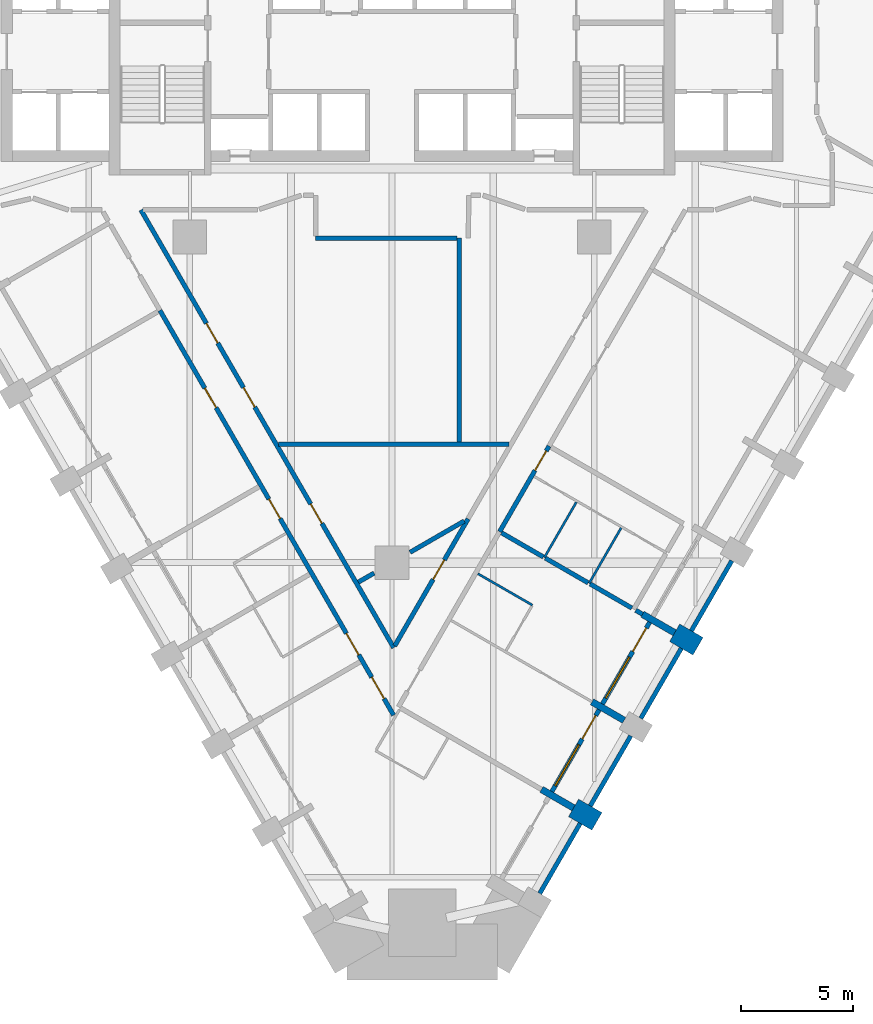
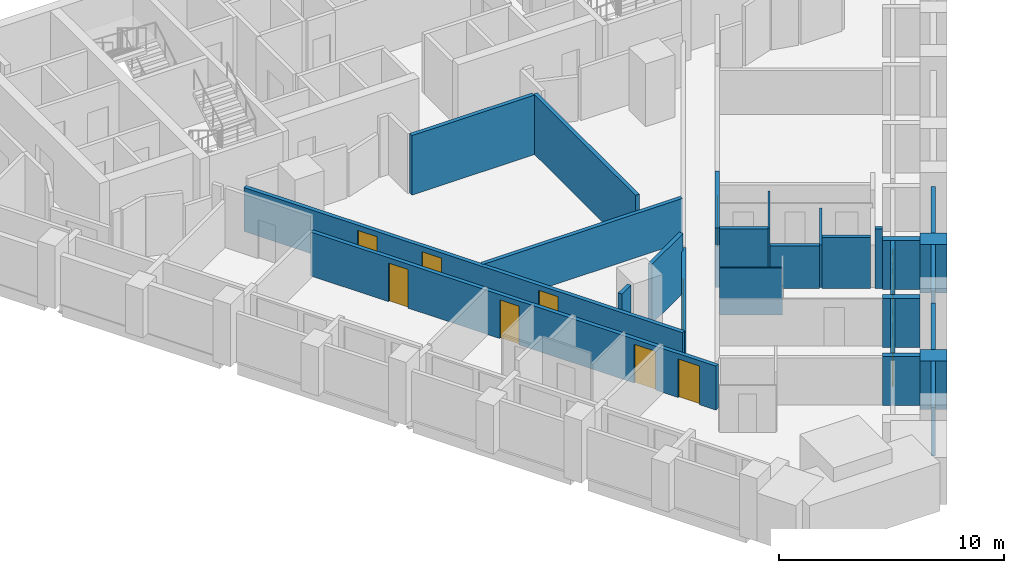
# One storey, part 4 of 10: 27 walls, 11 doors, 2 windows, 13 openings.
"""IFC4 building model written with IfcOpenShell, lengths in metres."""

import ifcopenshell
import ifcopenshell.guid

model = None  # the IFC model being written
_history = None  # IfcOwnerHistory: only IFC2X3 demands one
_inside = {}  # id of a spatial element -> (the spatial element, [elements in it])
_under = {}  # id of a project, library or spatial element -> (it, [spatial elements below it])
_declared = {}  # id of a project -> (the project, [libraries it declares])
_typed = {}  # id of a type object -> (the type object, [elements of that type])
_made_of = {}  # id of a material, layer set ... -> (it, [elements and type objects made of it])


def new_model(schema):
    """Start an empty IFC model of exactly this schema.

    Asked for "IFC4X3", IfcOpenShell would pick the latest addendum, in which some entities
    have other attributes; the version numbers below select the first issue.
    IFC2X3 requires an IfcOwnerHistory on every rooted entity: one is made here for all.
    """
    global model, _history
    if schema == "IFC4X3":
        model = ifcopenshell.file(schema_version=(4, 3, 0, 0))
    else:
        model = ifcopenshell.file(schema=schema)
    _inside.clear()
    _under.clear()
    _declared.clear()
    _typed.clear()
    _made_of.clear()
    _history = None
    if model.schema == "IFC2X3":
        org = make("IfcOrganization", Name="unknown")
        user = make(
            "IfcPersonAndOrganization",
            ThePerson=make("IfcPerson", FamilyName="unknown"),
            TheOrganization=org,
        )
        app = make(
            "IfcApplication",
            ApplicationDeveloper=org,
            Version="unknown",
            ApplicationFullName="unknown",
            ApplicationIdentifier="unknown",
        )
        _history = make(
            "IfcOwnerHistory",
            OwningUser=user,
            OwningApplication=app,
            ChangeAction="ADDED",
            CreationDate=0,
        )
    return model


def make(cls, **values):
    """One entity of the class cls with the attributes given. An attribute that is None is left unset."""
    return model.create_entity(
        cls, **{name: value for name, value in values.items() if value is not None}
    )


def rooted(cls, **values):
    """An entity with a GlobalId (a new one), such as an element, a storey or a relation."""
    return make(cls, GlobalId=ifcopenshell.guid.new(), OwnerHistory=_history, **values)


def si_unit(unit_type, name, prefix=None):
    """IfcSIUnit, for example si_unit("LENGTHUNIT", "METRE", prefix="MILLI")."""
    return make("IfcSIUnit", UnitType=unit_type, Prefix=prefix, Name=name)


def assignment(units):
    """IfcUnitAssignment: the units of a project."""
    return None if units is None else make("IfcUnitAssignment", Units=units)


def point(xyz):
    """IfcCartesianPoint."""
    return None if xyz is None else make("IfcCartesianPoint", Coordinates=xyz)


def direction(xyz):
    """IfcDirection."""
    return None if xyz is None else make("IfcDirection", DirectionRatios=xyz)


def frame(location, z_axis=None, x_axis=None):
    """IfcAxis2Placement3D, a coordinate frame: its origin and axes. An axis left out is left unset."""
    return make(
        "IfcAxis2Placement3D",
        Location=point(location),
        Axis=direction(z_axis),
        RefDirection=direction(x_axis),
    )


def frame_2d(location, x_axis=None):
    """IfcAxis2Placement2D, a coordinate frame in the plane: its origin and x axis."""
    return make(
        "IfcAxis2Placement2D", Location=point(location), RefDirection=direction(x_axis)
    )


def origin():
    """The frame at (0, 0, 0) with its axes left unset."""
    return frame((0.0, 0.0, 0.0))


def place(relative_to, where):
    """IfcLocalPlacement: puts the frame where relative to a parent placement (None: the world)."""
    return make(
        "IfcLocalPlacement", PlacementRelTo=relative_to, RelativePlacement=where
    )


def context(
    kind, dimensions, precision=None, world=None, true_north=None, identifier=None
):
    """IfcGeometricRepresentationContext, for example the 3D "Model" context."""
    return make(
        "IfcGeometricRepresentationContext",
        ContextIdentifier=identifier,
        ContextType=kind,
        CoordinateSpaceDimension=dimensions,
        Precision=precision,
        WorldCoordinateSystem=world,
        TrueNorth=true_north,
    )


def subcontext(parent, identifier, kind, view, scale=None):
    """IfcGeometricRepresentationSubContext, for example "Body" below "Model"."""
    return make(
        "IfcGeometricRepresentationSubContext",
        ContextIdentifier=identifier,
        ContextType=kind,
        ParentContext=parent,
        TargetScale=scale,
        TargetView=view,
    )


def project(units=None, contexts=None):
    """IfcProject with its units and contexts."""
    return rooted(
        "IfcProject",
        Name="project",
        RepresentationContexts=contexts,
        UnitsInContext=assignment(units),
    )


def spatial(cls, under=None, at=None, **own):
    """A site, building, storey or space (cls), placed at a placement, below another one or the project."""
    s = rooted(cls, ObjectPlacement=at, **own)
    if under is not None:
        _under.setdefault(under.id(), (under, []))[1].append(s)
    return s


def polyline(points):
    """IfcPolyline through the points."""
    return make("IfcPolyline", Points=[point(p) for p in points])


def profile(cls, at=None, kind="AREA", **sizes):
    """A parametric profile (cls). Its sizes go by their IFC names, for example OverallWidth=200.0."""
    return make(cls, ProfileType=kind, Position=at, **sizes)


def rectangle(**sizes):
    """IfcRectangleProfileDef."""
    return profile("IfcRectangleProfileDef", **sizes)


def outline(outer, holes=None, kind="AREA"):
    """IfcArbitraryClosedProfileDef: a profile drawn as a closed curve; with holes, ...WithVoids."""
    if holes is None:
        return make("IfcArbitraryClosedProfileDef", ProfileType=kind, OuterCurve=outer)
    return make(
        "IfcArbitraryProfileDefWithVoids",
        ProfileType=kind,
        OuterCurve=outer,
        InnerCurves=holes,
    )


def extrude(swept, where, along, depth):
    """IfcExtrudedAreaSolid: the profile swept, set in the frame where, extruded along a direction by depth."""
    return make(
        "IfcExtrudedAreaSolid",
        SweptArea=swept,
        Position=where,
        ExtrudedDirection=direction(along),
        Depth=depth,
    )


def shape(context_of_items, identifier, shape_type, items):
    """IfcShapeRepresentation: the items that make up one representation, for example the "Body"."""
    return make(
        "IfcShapeRepresentation",
        ContextOfItems=context_of_items,
        RepresentationIdentifier=identifier,
        RepresentationType=shape_type,
        Items=items,
    )


def material(Name=None, Category=None):
    """IfcMaterial."""
    return make("IfcMaterial", Name=Name, Category=Category)


def layer(
    of_material, thickness, ventilated=None, Name=None, Category=None, Priority=None
):
    """IfcMaterialLayer: one layer of a wall or slab, of a material (None: an air gap)."""
    return make(
        "IfcMaterialLayer",
        Material=of_material,
        LayerThickness=thickness,
        IsVentilated=ventilated,
        Name=Name,
        Category=Category,
        Priority=Priority,
    )


def layer_set(layers, Name=None):
    """IfcMaterialLayerSet."""
    return make("IfcMaterialLayerSet", MaterialLayers=layers, LayerSetName=Name)


def made_of(thing, what):
    """Note that an element or type object is made of a material, layer set ...; save() writes the relation."""
    if what is not None:
        _made_of.setdefault(what.id(), (what, []))[1].append(thing)
    return thing


def type_object(cls, material=None, **own):
    """A type object (cls), such as IfcWallType, which elements share."""
    return made_of(rooted(cls, **own), material)


def element(
    cls,
    number,
    at=None,
    inside=None,
    cuts=None,
    type_object=None,
    material=None,
    context=None,
    identifier="Body",
    shape_type=None,
    held_by="IfcProductDefinitionShape",
    body=None,
    shapes=None,
    **own,
):
    """One element of the class cls, such as IfcWall. Its Tag is "e" and its number.

    at: its placement. inside: the storey or other place that contains it. cuts: it is an
    opening in that element (IfcRelVoidsElement). A single representation is given by context,
    identifier, shape_type and body (its items); several are given by shapes. held_by: the class
    of the entity that holds the representations. save() writes the other relations.
    """
    e = rooted(cls, Tag="e%d" % number, ObjectPlacement=at, **own)
    if body is not None:
        shapes = [shape(context, identifier, shape_type, body)]
    if shapes is not None:
        e.Representation = make(held_by, Representations=shapes)
    if inside is not None:
        _inside.setdefault(inside.id(), (inside, []))[1].append(e)
    if cuts is not None:
        rooted(
            "IfcRelVoidsElement", RelatingBuildingElement=cuts, RelatedOpeningElement=e
        )
    if type_object is not None:
        _typed.setdefault(type_object.id(), (type_object, []))[1].append(e)
    return made_of(e, material)


def fill(opening, filler):
    """IfcRelFillsElement: the door or window that sits in an opening."""
    return rooted(
        "IfcRelFillsElement",
        RelatingOpeningElement=opening,
        RelatedBuildingElement=filler,
    )


def aggregate(whole, parts):
    """IfcRelAggregates: a whole, such as a stair, and the parts it consists of."""
    return rooted("IfcRelAggregates", RelatingObject=whole, RelatedObjects=parts)


def save(model, path):
    """Write the relations noted so far, then the file.

    IfcRelAggregates (storeys below a building ...), IfcRelContainedInSpatialStructure (elements
    in a storey), IfcRelDefinesByType, IfcRelAssociatesMaterial and IfcRelDeclares: one each for
    every whole, place, type object, material and project.
    """
    for whole, parts in _under.values():
        aggregate(whole, parts)
    for where, things in _inside.values():
        rooted(
            "IfcRelContainedInSpatialStructure",
            RelatedElements=things,
            RelatingStructure=where,
        )
    for kind, things in _typed.values():
        rooted("IfcRelDefinesByType", RelatedObjects=things, RelatingType=kind)
    for what, things in _made_of.values():
        rooted("IfcRelAssociatesMaterial", RelatedObjects=things, RelatingMaterial=what)
    for by, libraries in _declared.values():
        rooted("IfcRelDeclares", RelatingContext=by, RelatedDefinitions=libraries)
    model.write(path)


model = new_model("IFC4")

# Units and contexts
model_context = context("Model", 3, precision=1e-05, world=origin(), true_north=direction((0.0, 1.0)))
body_context = subcontext(model_context, "Body", "Model", "MODEL_VIEW")
ifc_project = project(units=[si_unit("LENGTHUNIT", "METRE"), si_unit("AREAUNIT", "SQUARE_METRE"), si_unit("VOLUMEUNIT", "CUBIC_METRE"), si_unit("PLANEANGLEUNIT", "RADIAN"), si_unit("MASSUNIT", "GRAM", prefix="KILO")], contexts=[model_context])

# Site, building, storey
site_placement = place(None, origin())
site = spatial("IfcSite", under=ifc_project, at=site_placement, CompositionType="ELEMENT")
building_placement = place(site_placement, origin())
building = spatial("IfcBuilding", under=site, at=building_placement, Name="Calabash Gate Tower", CompositionType="ELEMENT")
storey_placement = place(building_placement, frame((0.0, 0.0, 95.199951171875)))
storey = spatial("IfcBuildingStorey", under=building, at=storey_placement, Name="L20", CompositionType="ELEMENT", Elevation=95.199951171875)

# Walls
ifc_material_1 = material(Name="Terracotta brick masonry, exposed face", Category="masonry")
ifc_layer_1 = layer(ifc_material_1, 1.199951171875)
ifc_layer_set_1 = layer_set([ifc_layer_1], Name="Brick end wall 1200")
wall_type_1 = type_object("IfcWallType", Name="Brick end wall 1200", PredefinedType="SOLIDWALL", material=ifc_layer_set_1)
for number, where, z_axis, x_axis, name in (
    (1, (9.1171875, -23.513916015625, 0.0), (0.0, 0.0, 1.0), (-0.866006032174, 0.500033551112, 0.0), "Brick pier S05 SE2.1"),
    (2, (12.577880859375, -15.11962890625, 0.0), (0.0, 0.0, 1.0), (0.866006032174, -0.500033551112, 0.0), "Brick pier S05 SE2.3"),
):
    element("IfcWall", number, at=place(storey_placement, frame(where, z_axis=z_axis, x_axis=x_axis)), inside=storey, type_object=wall_type_1, Name=name, PredefinedType="SOLIDWALL", context=body_context, shape_type="SweptSolid", body=[
        extrude(rectangle(XDim=1.2001953125, YDim=0.89990234375, at=frame_2d((0.60009765625, 0.0))), origin(), (0.0, 0.0, 1.0), 2.630126953125),
    ])
ifc_material_2 = material(Name="Terracotta brick masonry, exposed face", Category="masonry")
ifc_layer_2 = layer(ifc_material_2, 0.300048828125)
ifc_layer_set_2 = layer_set([ifc_layer_2], Name="Brick loggia cheek wall 300")
wall_type_2 = type_object("IfcWallType", Name="Brick loggia cheek wall 300", PredefinedType="SOLIDWALL", material=ifc_layer_set_2)
wall_1_placement = place(storey_placement, frame((8.077880859375, -22.913818359375, 0.0), z_axis=(0.0, 0.0, 1.0), x_axis=(-0.866040211805, 0.499974350878, 0.0)))
element("IfcWall", 3, at=wall_1_placement, inside=storey, type_object=wall_type_2, Name="Loggia cheek S05 SE2.1", PredefinedType="SOLIDWALL", context=body_context, shape_type="SweptSolid", body=[
    extrude(rectangle(XDim=1.64990234375, YDim=0.300048828125, at=frame_2d((0.824951171875, 0.0))), origin(), (0.0, 0.0, 1.0), 2.650146484375),
])
wall_2_placement = place(storey_placement, frame((8.89892578125, -18.19189453125, 0.0), z_axis=(0.0, 0.0, 1.0), x_axis=(0.866067297121, -0.499927431592, 0.0)))
element("IfcWall", 4, at=wall_2_placement, inside=storey, type_object=wall_type_2, Name="Loggia cheek S05 SE2.2", PredefinedType="SOLIDWALL", context=body_context, shape_type="SweptSolid", body=[
    extrude(rectangle(XDim=1.649658203125, YDim=0.300048828125, at=frame_2d((0.82470703125, 0.0))), origin(), (0.0, 0.0, 1.0), 2.650146484375),
])
wall_3_placement = place(storey_placement, frame((12.577880859375, -15.11962890625, 0.0), z_axis=(0.0, 0.0, 1.0), x_axis=(-0.866040211805, 0.499974350878, 0.0)))
element("IfcWall", 5, at=wall_3_placement, inside=storey, type_object=wall_type_2, Name="Loggia cheek S05 SE2.3", PredefinedType="SOLIDWALL", context=body_context, shape_type="SweptSolid", body=[
    extrude(rectangle(XDim=1.64990234375, YDim=0.300048828125, at=frame_2d((0.824951171875, 0.0))), origin(), (0.0, 0.0, 1.0), 2.650146484375),
])
ifc_material_3 = material(Name="Gypsum board on steel studs, mineral wool", Category="steel")
ifc_layer_3 = layer(ifc_material_3, 0.10009765625)
ifc_layer_set_3 = layer_set([ifc_layer_3], Name="Partition 100 gypsum board")
wall_type_3 = type_object("IfcWallType", Name="Partition 100 gypsum board", PredefinedType="PARTITIONING", material=ifc_layer_set_3)
wall_4_placement = place(storey_placement, frame((3.819580078125, -12.48974609375, 0.0), z_axis=(0.0, 0.0, 1.0), x_axis=(0.866326367614, -0.499478352661, 0.0)))
element("IfcWall", 6, at=wall_4_placement, inside=storey, type_object=wall_type_3, Name="Partition", PredefinedType="PARTITIONING", context=body_context, shape_type="SweptSolid", body=[
    extrude(rectangle(XDim=2.7998046875, YDim=0.10009765625, at=frame_2d((1.39990234375, 0.0))), origin(), (0.0, 0.0, 1.0), 2.552001953125),
])
wall_5_placement = place(storey_placement, frame((8.769287109375, -12.92041015625, 0.0), z_axis=(0.0, 0.0, 1.0), x_axis=(0.499972122318, 0.866041498374, 0.0)))
element("IfcWall", 7, at=wall_5_placement, inside=storey, type_object=wall_type_3, Name="Partition", PredefinedType="PARTITIONING", context=body_context, shape_type="SweptSolid", body=[
    extrude(rectangle(XDim=2.849853515625, YDim=0.10009765625, at=frame_2d((1.4248046875, 0.0))), origin(), (0.0, 0.0, 1.0), 2.302490234375),
])
wall_6_placement = place(storey_placement, frame((6.77734375, -11.7705078125, 0.0), z_axis=(0.0, 0.0, 1.0), x_axis=(0.499972122318, 0.866041498374, 0.0)))
element("IfcWall", 8, at=wall_6_placement, inside=storey, type_object=wall_type_3, Name="Partition", PredefinedType="PARTITIONING", context=body_context, shape_type="SweptSolid", body=[
    extrude(rectangle(XDim=2.849853515625, YDim=0.10009765625, at=frame_2d((1.4248046875, 0.0))), origin(), (0.0, 0.0, 1.0), 3.22998046875),
])

# Wall, openings, doors
ifc_material_4 = material(Name="Gypsum board on steel studs, mineral wool", Category="steel")
ifc_layer_4 = layer(ifc_material_4, 0.199951171875)
ifc_layer_set_4 = layer_set([ifc_layer_4], Name="Partition 200 gypsum board EI 60")
wall_type_4 = type_object("IfcWallType", Name="Partition 200 gypsum board EI 60", PredefinedType="PARTITIONING", material=ifc_layer_set_4)
wall_7_placement = place(storey_placement, frame((-10.333740234375, -0.770263671875, 0.0), z_axis=(0.0, 0.0, 1.0), x_axis=(0.499996405163, -0.866027479255, 0.0)))
wall_7 = element("IfcWall", 9, at=wall_7_placement, inside=storey, type_object=wall_type_4, Name="Partition", PredefinedType="PARTITIONING", context=body_context, shape_type="SweptSolid", body=[
    extrude(rectangle(XDim=20.802978515625, YDim=0.199951171875, at=frame_2d((10.4013671875, 0.0))), origin(), (0.0, 0.0, 1.0), 2.384033203125),
])
opening_1_placement = place(wall_7_placement, frame((4.0, 0.0, 0.0)))
opening_1 = element("IfcOpeningElement", 10, at=opening_1_placement, cuts=wall_7, Name="Opening 19-21-002", PredefinedType="OPENING", context=body_context, shape_type="SweptSolid", body=[
    extrude(rectangle(XDim=1.0, YDim=2.10009765625, at=frame_2d((0.5, 1.050048828125))), frame((0.0, 0.10986328125, 0.0), z_axis=(0.0, -1.0, 0.0), x_axis=(1.0, 0.0, 0.0)), (0.0, 0.0, 1.0), 0.219970703125),
])
opening_2_placement = place(wall_7_placement, frame((9.69970703125, 0.0, 0.0)))
opening_2 = element("IfcOpeningElement", 11, at=opening_2_placement, cuts=wall_7, Name="Opening 19-21-003", PredefinedType="OPENING", context=body_context, shape_type="SweptSolid", body=[
    extrude(rectangle(XDim=1.0, YDim=2.10009765625, at=frame_2d((0.5, 1.050048828125))), frame((0.0, 0.10986328125, 0.0), z_axis=(0.0, -1.0, 0.0), x_axis=(1.0, 0.0, 0.0)), (0.0, 0.0, 1.0), 0.219970703125),
])
opening_3_placement = place(wall_7_placement, frame((16.599853515625, 0.0, 0.0)))
opening_3 = element("IfcOpeningElement", 12, at=opening_3_placement, cuts=wall_7, Name="Opening 19-21-005", PredefinedType="OPENING", context=body_context, shape_type="SweptSolid", body=[
    extrude(rectangle(XDim=1.10009765625, YDim=2.10009765625, at=frame_2d((0.550048828125, 1.050048828125))), frame((0.0, 0.10986328125, 0.0), z_axis=(0.0, -1.0, 0.0), x_axis=(1.0, 0.0, 0.0)), (0.0, 0.0, 1.0), 0.219970703125),
])
opening_4_placement = place(wall_7_placement, frame((18.8515625, 0.0, 0.0)))
opening_4 = element("IfcOpeningElement", 13, at=opening_4_placement, cuts=wall_7, Name="Opening 19-21-025", PredefinedType="OPENING", context=body_context, shape_type="SweptSolid", body=[
    extrude(rectangle(XDim=1.10009765625, YDim=2.10009765625, at=frame_2d((0.550048828125, 1.050048828125))), frame((0.0, 0.10986328125, 0.0), z_axis=(0.0, -1.0, 0.0), x_axis=(1.0, 0.0, 0.0)), (0.0, 0.0, 1.0), 0.219970703125),
])
ifc_material_5 = material(Name="Steel fire door set with fire-resisting glazing", Category="steel")
door_type_1 = type_object("IfcDoorType", Name="GD1 Guest room entrance door 1000x2100", OperationType="NOTDEFINED", PredefinedType="DOOR", material=ifc_material_5)
door_1_placement = place(opening_2_placement, origin())
door_1 = element("IfcDoor", 14, at=door_1_placement, inside=storey, type_object=door_type_1, Name="Guest room entrance door", OperationType="SINGLE_SWING_RIGHT", OverallHeight=2.10009765625, OverallWidth=1.0, PredefinedType="DOOR", context=body_context, shape_type="SweptSolid", body=[
    extrude(rectangle(XDim=1.0, YDim=2.10009765625, at=frame_2d((0.5, 1.050048828125))), frame((0.0, 0.02490234375, 0.0), z_axis=(0.0, -1.0, 0.0), x_axis=(1.0, 0.0, 0.0)), (0.0, 0.0, 1.0), 0.050048828125),
])
fill(opening_2, door_1)
ifc_material_6 = material(Name="Steel fire door set with fire-resisting glazing", Category="steel")
door_type_2 = type_object("IfcDoorType", Name="GD2 Accessible guest room entrance door 1100x2100", OperationType="NOTDEFINED", PredefinedType="DOOR", material=ifc_material_6)
door_2_placement = place(opening_3_placement, origin())
door_2 = element("IfcDoor", 15, at=door_2_placement, inside=storey, type_object=door_type_2, Name="Accessible guest room entrance door", OperationType="SINGLE_SWING_LEFT", OverallHeight=2.10009765625, OverallWidth=1.10009765625, PredefinedType="DOOR", context=body_context, shape_type="SweptSolid", body=[
    extrude(rectangle(XDim=1.10009765625, YDim=2.10009765625, at=frame_2d((0.550048828125, 1.050048828125))), frame((0.0, 0.02490234375, 0.0), z_axis=(0.0, -1.0, 0.0), x_axis=(1.0, 0.0, 0.0)), (0.0, 0.0, 1.0), 0.050048828125),
])
fill(opening_3, door_2)
ifc_material_7 = material(Name="Steel fire door set with fire-resisting glazing", Category="steel")
door_type_3 = type_object("IfcDoorType", Name="GD3 Suite entrance door 1100x2100", OperationType="NOTDEFINED", PredefinedType="DOOR", material=ifc_material_7)
door_3_placement = place(opening_4_placement, origin())
door_3 = element("IfcDoor", 16, at=door_3_placement, inside=storey, type_object=door_type_3, Name="Suite entrance door", OperationType="SINGLE_SWING_LEFT", OverallHeight=2.10009765625, OverallWidth=1.10009765625, PredefinedType="DOOR", context=body_context, shape_type="SweptSolid", body=[
    extrude(rectangle(XDim=1.10009765625, YDim=2.10009765625, at=frame_2d((0.550048828125, 1.050048828125))), frame((0.0, 0.02490234375, 0.0), z_axis=(0.0, -1.0, 0.0), x_axis=(1.0, 0.0, 0.0)), (0.0, 0.0, 1.0), 0.050048828125),
])
fill(opening_4, door_3)
ifc_material_8 = material(Name="Steel fire door set with fire-resisting glazing", Category="steel")
door_type_4 = type_object("IfcDoorType", Name="LD2 Meeting room door 1000x2100", OperationType="NOTDEFINED", PredefinedType="DOOR", material=ifc_material_8)
door_4_placement = place(opening_1_placement, origin())
door_4 = element("IfcDoor", 17, at=door_4_placement, inside=storey, type_object=door_type_4, Name="Meeting room door", OperationType="SINGLE_SWING_RIGHT", OverallHeight=2.10009765625, OverallWidth=1.0, PredefinedType="DOOR", context=body_context, shape_type="SweptSolid", body=[
    extrude(rectangle(XDim=1.0, YDim=2.10009765625, at=frame_2d((0.5, 1.050048828125))), frame((0.0, 0.02490234375, 0.0), z_axis=(0.0, -1.0, 0.0), x_axis=(1.0, 0.0, 0.0)), (0.0, 0.0, 1.0), 0.050048828125),
])
fill(opening_1, door_4)

# Wall, opening, door
wall_8_placement = place(storey_placement, frame((0.119384765625, -15.697998046875, 0.0), z_axis=(0.0, 0.0, 1.0), x_axis=(0.499994537821, 0.866028557352, 0.0)))
wall_8 = element("IfcWall", 18, at=wall_8_placement, inside=storey, type_object=wall_type_4, Name="Partition", PredefinedType="PARTITIONING", context=body_context, shape_type="SweptSolid", body=[
    extrude(rectangle(XDim=6.5244140625, YDim=0.199951171875, at=frame_2d((3.26220703125, 0.0))), origin(), (0.0, 0.0, 1.0), 2.302490234375),
])
opening_5_placement = place(wall_8_placement, frame((3.4130859375, 0.0, 0.0)))
opening_5 = element("IfcOpeningElement", 19, at=opening_5_placement, cuts=wall_8, Name="Opening 19-21-013", PredefinedType="OPENING", context=body_context, shape_type="SweptSolid", body=[
    extrude(rectangle(XDim=1.0, YDim=2.10009765625, at=frame_2d((0.5, 1.050048828125))), frame((0.0, 0.10986328125, 0.0), z_axis=(0.0, -1.0, 0.0), x_axis=(1.0, 0.0, 0.0)), (0.0, 0.0, 1.0), 0.219970703125),
])
door_5_placement = place(opening_5_placement, origin())
door_5 = element("IfcDoor", 20, at=door_5_placement, inside=storey, type_object=door_type_4, Name="Meeting room door", OperationType="SINGLE_SWING_RIGHT", OverallHeight=2.10009765625, OverallWidth=1.0, PredefinedType="DOOR", context=body_context, shape_type="SweptSolid", body=[
    extrude(rectangle(XDim=1.0, YDim=2.10009765625, at=frame_2d((0.5, 1.050048828125))), frame((0.0, 0.02490234375, 0.0), z_axis=(0.0, -1.0, 0.0), x_axis=(1.0, 0.0, 0.0)), (0.0, 0.0, 1.0), 0.050048828125),
])
fill(opening_5, door_5)

# Walls
wall_9_placement = place(storey_placement, frame((10.8466796875, -14.118408203125, 0.0), z_axis=(0.0, 0.0, 1.0), x_axis=(0.864133115814, -0.503263308968, 0.0)))
element("IfcWall", 21, at=wall_9_placement, inside=storey, type_object=wall_type_4, Name="Partition", PredefinedType="PARTITIONING", context=body_context, shape_type="SweptSolid", body=[
    extrude(rectangle(XDim=0.349853515625, YDim=0.199951171875, at=frame_2d((0.1748046875, 0.0))), origin(), (0.0, 0.0, 1.0), 3.22998046875),
])
wall_10_placement = place(storey_placement, frame((8.811767578125, -12.943115234375, 0.0), z_axis=(0.0, 0.0, 1.0), x_axis=(0.86565946566, -0.500633288458, 0.0)))
element("IfcWall", 22, at=wall_10_placement, inside=storey, type_object=wall_type_4, Name="Partition", PredefinedType="PARTITIONING", context=body_context, shape_type="SweptSolid", body=[
    extrude(rectangle(XDim=2.149658203125, YDim=0.199951171875, at=frame_2d((1.07470703125, 0.0))), origin(), (0.0, 0.0, 1.0), 2.7822265625),
])
wall_11_placement = place(storey_placement, frame((-1.501220703125, -12.864501953125, 0.0), z_axis=(0.0, 0.0, 1.0), x_axis=(0.86708889474, 0.49815343883, 0.0)))
element("IfcWall", 23, at=wall_11_placement, inside=storey, type_object=wall_type_4, Name="Partition", PredefinedType="PARTITIONING", context=body_context, shape_type="SweptSolid", body=[
    extrude(rectangle(XDim=0.80859375, YDim=0.199951171875, at=frame_2d((0.404296875, 0.0))), origin(), (0.0, 0.0, 1.0), 3.22998046875),
])
wall_12_placement = place(storey_placement, frame((6.81982421875, -11.793212890625, 0.0), z_axis=(0.0, 0.0, 1.0), x_axis=(0.865656676501, -0.500638111243, 0.0)))
element("IfcWall", 24, at=wall_12_placement, inside=storey, type_object=wall_type_4, Name="Partition", PredefinedType="PARTITIONING", context=body_context, shape_type="SweptSolid", body=[
    extrude(rectangle(XDim=2.199951171875, YDim=0.199951171875, at=frame_2d((1.10009765625, 0.0))), origin(), (0.0, 0.0, 1.0), 2.302490234375),
])
wall_13_placement = place(storey_placement, frame((0.800048828125, -11.537841796875, 0.0), z_axis=(0.0, 0.0, 1.0), x_axis=(0.865884499667, 0.500243973713, 0.0)))
element("IfcWall", 25, at=wall_13_placement, inside=storey, type_object=wall_type_4, Name="Partition", PredefinedType="PARTITIONING", context=body_context, shape_type="SweptSolid", body=[
    extrude(rectangle(XDim=2.7822265625, YDim=0.199951171875, at=frame_2d((1.39111328125, 0.0))), origin(), (0.0, 0.0, 1.0), 3.22998046875),
])
wall_14_placement = place(storey_placement, frame((4.872802734375, -10.6689453125, 0.0), z_axis=(0.0, 0.0, 1.0), x_axis=(0.865664803183, -0.500624059081, 0.0)))
element("IfcWall", 26, at=wall_14_placement, inside=storey, type_object=wall_type_4, Name="Partition", PredefinedType="PARTITIONING", context=body_context, shape_type="SweptSolid", body=[
    extrude(rectangle(XDim=2.148193359375, YDim=0.199951171875, at=frame_2d((1.07421875, 0.0))), origin(), (0.0, 0.0, 1.0), 3.22998046875),
])

# Wall, opening, door
wall_15_placement = place(storey_placement, frame((4.786376953125, -10.618896484375, 0.0), z_axis=(0.0, 0.0, 1.0), x_axis=(0.500007539231, 0.866021050964, 0.0)))
wall_15 = element("IfcWall", 27, at=wall_15_placement, inside=storey, type_object=wall_type_4, Name="Partition", PredefinedType="PARTITIONING", context=body_context, shape_type="SweptSolid", body=[
    extrude(rectangle(XDim=4.3984375, YDim=0.199951171875, at=frame_2d((2.19921875, 0.0))), origin(), (0.0, 0.0, 1.0), 3.22998046875),
])
opening_6_placement = place(wall_15_placement, frame((3.14990234375, 0.0, 0.0)))
opening_6 = element("IfcOpeningElement", 28, at=opening_6_placement, cuts=wall_15, Name="Opening 19-21-016", PredefinedType="OPENING", context=body_context, shape_type="SweptSolid", body=[
    extrude(rectangle(XDim=1.0, YDim=2.10009765625, at=frame_2d((0.5, 1.050048828125))), frame((0.0, 0.10986328125, 0.0), z_axis=(0.0, -1.0, 0.0), x_axis=(1.0, 0.0, 0.0)), (0.0, 0.0, 1.0), 0.219970703125),
])
ifc_material_9 = material(Name="Steel fire door set with fire-resisting glazing", Category="steel")
door_type_5 = type_object("IfcDoorType", Name="WD3 WC lobby door 1000x2100", OperationType="NOTDEFINED", PredefinedType="DOOR", material=ifc_material_9)
door_6_placement = place(opening_6_placement, origin())
door_6 = element("IfcDoor", 29, at=door_6_placement, inside=storey, type_object=door_type_5, Name="WC lobby door", OperationType="SINGLE_SWING_LEFT", OverallHeight=2.10009765625, OverallWidth=1.0, PredefinedType="DOOR", context=body_context, shape_type="SweptSolid", body=[
    extrude(rectangle(XDim=1.0, YDim=2.10009765625, at=frame_2d((0.5, 1.050048828125))), frame((0.0, 0.02490234375, 0.0), z_axis=(0.0, -1.0, 0.0), x_axis=(1.0, 0.0, 0.0)), (0.0, 0.0, 1.0), 0.050048828125),
])
fill(opening_6, door_6)

# Walls
wall_16_placement = place(storey_placement, frame((-5.06103515625, -6.72509765625, 0.0), z_axis=(0.0, 0.0, 1.0), x_axis=(1.0, 0.0, 0.0)))
element("IfcWall", 30, at=wall_16_placement, inside=storey, type_object=wall_type_4, Name="Partition", PredefinedType="PARTITIONING", context=body_context, shape_type="SweptSolid", body=[
    extrude(rectangle(XDim=10.260986328125, YDim=0.199951171875, at=frame_2d((5.13037109375, 0.0))), origin(), (0.0, 0.0, 1.0), 2.384033203125),
])
wall_17_placement = place(storey_placement, frame((-3.400146484375, 2.452392578125, 0.0), z_axis=(0.0, 0.0, 1.0), x_axis=(0.999999963142, -0.000271507243, 0.0)))
element("IfcWall", 31, at=wall_17_placement, inside=storey, type_object=wall_type_4, Name="Partition", PredefinedType="PARTITIONING", context=body_context, shape_type="SweptSolid", body=[
    extrude(rectangle(XDim=6.29443359375, YDim=0.199951171875, at=frame_2d((3.147216796875, 0.0))), origin(), (0.0, 0.0, 1.0), 3.22998046875),
])
wall_18_placement = place(storey_placement, frame((2.994384765625, -6.623046875, 0.0), z_axis=(0.0, 0.0, 1.0), x_axis=(0.000215209959, 0.999999976842, 0.0)))
element("IfcWall", 32, at=wall_18_placement, inside=storey, type_object=wall_type_4, Name="Partition", PredefinedType="PARTITIONING", context=body_context, shape_type="SweptSolid", body=[
    extrude(rectangle(XDim=9.075439453125, YDim=0.199951171875, at=frame_2d((4.53759765625, 0.0))), origin(), (0.0, 0.0, 1.0), 3.22998046875),
])

# Wall, openings, doors
wall_19_placement = place(storey_placement, frame((-11.179931640625, 3.69970703125, 0.0), z_axis=(0.0, 0.0, 1.0), x_axis=(0.500129162475, -0.865950818951, 0.0)))
wall_19 = element("IfcWall", 33, at=wall_19_placement, inside=storey, type_object=wall_type_4, Name="Partition", PredefinedType="PARTITIONING", context=body_context, shape_type="SweptSolid", body=[
    extrude(rectangle(XDim=22.49853515625, YDim=0.199951171875, at=frame_2d((11.249267578125, 0.0))), origin(), (0.0, 0.0, 1.0), 2.384033203125),
])
opening_7_placement = place(wall_19_placement, frame((9.1298828125, 0.0, 0.0)))
opening_7 = element("IfcOpeningElement", 34, at=opening_7_placement, cuts=wall_19, Name="Opening 19-21-011", PredefinedType="OPENING", context=body_context, shape_type="SweptSolid", body=[
    extrude(rectangle(XDim=1.0, YDim=2.10009765625, at=frame_2d((0.5, 1.050048828125))), frame((0.0, 0.10986328125, 0.0), z_axis=(0.0, -1.0, 0.0), x_axis=(1.0, 0.0, 0.0)), (0.0, 0.0, 1.0), 0.219970703125),
])
opening_8_placement = place(wall_19_placement, frame((15.11083984375, 0.0, 0.0)))
opening_8 = element("IfcOpeningElement", 35, at=opening_8_placement, cuts=wall_19, Name="Opening 19-21-014", PredefinedType="OPENING", context=body_context, shape_type="SweptSolid", body=[
    extrude(rectangle(XDim=1.0, YDim=2.10009765625, at=frame_2d((0.5, 1.050048828125))), frame((0.0, 0.10986328125, 0.0), z_axis=(0.0, -1.0, 0.0), x_axis=(1.0, 0.0, 0.0)), (0.0, 0.0, 1.0), 0.219970703125),
])
opening_9_placement = place(wall_19_placement, frame((5.833984375, 0.0, 0.0)))
opening_9 = element("IfcOpeningElement", 36, at=opening_9_placement, cuts=wall_19, Name="Opening 19-21-026", PredefinedType="OPENING", context=body_context, shape_type="SweptSolid", body=[
    extrude(rectangle(XDim=1.0, YDim=2.10009765625, at=frame_2d((0.5, 1.050048828125))), frame((0.0, 0.10986328125, 0.0), z_axis=(0.0, -1.0, 0.0), x_axis=(1.0, 0.0, 0.0)), (0.0, 0.0, 1.0), 0.219970703125),
])
door_7_placement = place(opening_7_placement, origin())
door_7 = element("IfcDoor", 37, at=door_7_placement, inside=storey, type_object=door_type_4, Name="Meeting room door", OperationType="SINGLE_SWING_LEFT", OverallHeight=2.10009765625, OverallWidth=1.0, PredefinedType="DOOR", context=body_context, shape_type="SweptSolid", body=[
    extrude(rectangle(XDim=1.0, YDim=2.10009765625, at=frame_2d((0.5, 1.050048828125))), frame((0.0, 0.02490234375, 0.0), z_axis=(0.0, -1.0, 0.0), x_axis=(1.0, 0.0, 0.0)), (0.0, 0.0, 1.0), 0.050048828125),
])
fill(opening_7, door_7)
door_8_placement = place(opening_8_placement, origin())
door_8 = element("IfcDoor", 38, at=door_8_placement, inside=storey, type_object=door_type_4, Name="Meeting room door", OperationType="SINGLE_SWING_RIGHT", OverallHeight=2.10009765625, OverallWidth=1.0, PredefinedType="DOOR", context=body_context, shape_type="SweptSolid", body=[
    extrude(rectangle(XDim=1.0, YDim=2.10009765625, at=frame_2d((0.5, 1.050048828125))), frame((0.0, 0.02490234375, 0.0), z_axis=(0.0, -1.0, 0.0), x_axis=(1.0, 0.0, 0.0)), (0.0, 0.0, 1.0), 0.050048828125),
])
fill(opening_8, door_8)
door_9_placement = place(opening_9_placement, origin())
door_9 = element("IfcDoor", 39, at=door_9_placement, inside=storey, type_object=door_type_4, Name="Meeting room door", OperationType="SINGLE_SWING_LEFT", OverallHeight=2.10009765625, OverallWidth=1.0, PredefinedType="DOOR", context=body_context, shape_type="SweptSolid", body=[
    extrude(rectangle(XDim=1.0, YDim=2.10009765625, at=frame_2d((0.5, 1.050048828125))), frame((0.0, 0.02490234375, 0.0), z_axis=(0.0, -1.0, 0.0), x_axis=(1.0, 0.0, 0.0)), (0.0, 0.0, 1.0), 0.050048828125),
])
fill(opening_9, door_9)

# Walls
ifc_material_10 = material(Name="Terracotta brick masonry, perforated", Category="masonry")
ifc_layer_5 = layer(ifc_material_10, 0.199951171875)
ifc_layer_set_5 = layer_set([ifc_layer_5], Name="Terracotta jaali screen A")
wall_type_5 = type_object("IfcWallType", Name="Terracotta jaali screen A", PredefinedType="SOLIDWALL", material=ifc_layer_set_5)
for number, where, z_axis, x_axis, name in (
    (40, (6.572509765625, -26.72119140625, 0.0), (0.0, 0.0, 1.0), (0.500012057535, 0.866018442252, 0.0), "SCREEN A S05 SE2.1"),
    (41, (8.822509765625, -22.82421875, 0.0), (0.0, 0.0, 1.0), (0.500012057535, 0.866018442252, 0.0), "SCREEN A S05 SE2.2"),
    (42, (11.072509765625, -18.927001953125, 0.0), (0.0, 0.0, 1.0), (0.500012057535, 0.866018442252, 0.0), "SCREEN A S05 SE2.3"),
):
    element("IfcWall", number, at=place(storey_placement, frame(where, z_axis=z_axis, x_axis=x_axis)), inside=storey, type_object=wall_type_5, Name=name, PredefinedType="SOLIDWALL", context=body_context, shape_type="SweptSolid", body=[
        extrude(rectangle(XDim=3.60009765625, YDim=0.199951171875, at=frame_2d((1.800048828125, 0.0))), origin(), (0.0, 0.0, 1.0), 2.630126953125),
    ])
wall_20_placement = place(storey_placement, origin())
element("IfcWall", 43, at=wall_20_placement, inside=storey, type_object=wall_type_5, Name="SCREEN A S05 SE2.4", PredefinedType="SOLIDWALL", context=body_context, shape_type="SweptSolid", body=[
    extrude(outline(polyline([(13.408935546875, -15.079833984375), (15.208740234375, -11.962890625), (15.03564453125, -11.86279296875), (13.23583984375, -14.97998046875), (13.408935546875, -15.079833984375)])), origin(), (0.0, 0.0, 1.0), 2.630126953125),
])

# Wall, openings, door, window
ifc_material_11 = material(Name="Aluminium framed window wall with insulated spandrel", Category="aluminium")
ifc_layer_6 = layer(ifc_material_11, 0.199951171875)
ifc_layer_set_6 = layer_set([ifc_layer_6], Name="Window wall 200")
wall_type_6 = type_object("IfcWallType", Name="Window wall 200", PredefinedType="ELEMENTEDWALL", material=ifc_layer_set_6)
wall_21_placement = place(storey_placement, frame((7.113525390625, -22.18408203125, 0.0), z_axis=(0.0, 0.0, 1.0), x_axis=(0.500002543286, 0.866023935413, 0.0)))
wall_21 = element("IfcWall", 44, at=wall_21_placement, inside=storey, type_object=wall_type_6, Name="Window wall S05 SE2.2", PredefinedType="ELEMENTEDWALL", context=body_context, shape_type="SweptSolid", body=[
    extrude(rectangle(XDim=4.2001953125, YDim=0.199951171875, at=frame_2d((2.10009765625, 0.0))), origin(), (0.0, 0.0, 1.0), 2.650146484375),
])
opening_10_placement = place(wall_21_placement, frame((0.300048828125, 0.0, 0.60009765625)))
opening_10 = element("IfcOpeningElement", 45, at=opening_10_placement, cuts=wall_21, Name="Opening HW1", PredefinedType="OPENING", context=body_context, shape_type="SweptSolid", body=[
    extrude(rectangle(XDim=2.10009765625, YDim=1.800048828125, at=frame_2d((1.050048828125, 0.89990234375))), frame((0.0, 0.10986328125, 0.0), z_axis=(0.0, -1.0, 0.0), x_axis=(1.0, 0.0, 0.0)), (0.0, 0.0, 1.0), 0.219970703125),
])
opening_11_placement = place(wall_21_placement, frame((2.699951171875, 0.0, 0.0)))
opening_11 = element("IfcOpeningElement", 46, at=opening_11_placement, cuts=wall_21, Name="Opening H5-020", PredefinedType="OPENING", context=body_context, shape_type="SweptSolid", body=[
    extrude(rectangle(XDim=1.199951171875, YDim=2.39990234375, at=frame_2d((0.60009765625, 1.199951171875))), frame((0.0, 0.10986328125, 0.0), z_axis=(0.0, -1.0, 0.0), x_axis=(1.0, 0.0, 0.0)), (0.0, 0.0, 1.0), 0.219970703125),
])
ifc_material_12 = material(Name="Anodised aluminium frame, bronze finish, impact-rated laminated clear glazing", Category="aluminium")
door_type_6 = type_object("IfcDoorType", Name="Loggia door DH1 1200x2400", OperationType="SLIDING_TO_LEFT", PredefinedType="DOOR", material=ifc_material_12)
door_10_placement = place(opening_11_placement, origin())
door_10 = element("IfcDoor", 47, at=door_10_placement, inside=storey, type_object=door_type_6, Name="Loggia door S05 SE2.2", OperationType="SINGLE_SWING_LEFT", OverallHeight=2.39990234375, OverallWidth=1.199951171875, PredefinedType="DOOR", context=body_context, shape_type="SweptSolid", body=[
    extrude(rectangle(XDim=1.199951171875, YDim=2.39990234375, at=frame_2d((0.60009765625, 1.199951171875))), frame((0.0, 0.02490234375, 0.0), z_axis=(0.0, -1.0, 0.0), x_axis=(1.0, 0.0, 0.0)), (0.0, 0.0, 1.0), 0.050048828125),
])
fill(opening_11, door_10)
ifc_material_13 = material(Name="Anodised aluminium frame, bronze finish, impact-rated laminated clear glazing", Category="aluminium")
window_type = type_object("IfcWindowType", Name="Window HW1 2100x1800", PartitioningType="DOUBLE_PANEL_VERTICAL", PredefinedType="WINDOW", material=ifc_material_13)
window_1_placement = place(opening_10_placement, origin())
window_1 = element("IfcWindow", 48, at=window_1_placement, inside=storey, type_object=window_type, Name="Window HW1 S05 SE2.2", OverallHeight=1.800048828125, OverallWidth=2.10009765625, PartitioningType="SINGLE_PANEL", PredefinedType="WINDOW", context=body_context, shape_type="SweptSolid", body=[
    extrude(rectangle(XDim=2.10009765625, YDim=1.800048828125, at=frame_2d((1.050048828125, 0.89990234375))), frame((0.0, 0.030029296875, 0.0), z_axis=(0.0, -1.0, 0.0), x_axis=(1.0, 0.0, 0.0)), (0.0, 0.0, 1.0), 0.06005859375),
])
fill(opening_10, window_1)

wall_22_placement = place(storey_placement, frame((9.363525390625, -18.286865234375, 0.0), z_axis=(0.0, 0.0, 1.0), x_axis=(0.500027713859, 0.866009402589, 0.0)))
wall_22 = element("IfcWall", 49, at=wall_22_placement, inside=storey, type_object=wall_type_6, Name="Window wall S05 SE2.3", PredefinedType="ELEMENTEDWALL", context=body_context, shape_type="SweptSolid", body=[
    extrude(rectangle(XDim=4.199951171875, YDim=0.199951171875, at=frame_2d((2.10009765625, 0.0))), origin(), (0.0, 0.0, 1.0), 2.650146484375),
])
opening_12_placement = place(wall_22_placement, frame((0.300048828125, 0.0, 0.60009765625)))
opening_12 = element("IfcOpeningElement", 50, at=opening_12_placement, cuts=wall_22, Name="Opening HW1", PredefinedType="OPENING", context=body_context, shape_type="SweptSolid", body=[
    extrude(rectangle(XDim=2.10009765625, YDim=1.800048828125, at=frame_2d((1.050048828125, 0.89990234375))), frame((0.0, 0.10986328125, 0.0), z_axis=(0.0, -1.0, 0.0), x_axis=(1.0, 0.0, 0.0)), (0.0, 0.0, 1.0), 0.219970703125),
])
opening_13_placement = place(wall_22_placement, frame((2.699951171875, 0.0, 0.0)))
opening_13 = element("IfcOpeningElement", 51, at=opening_13_placement, cuts=wall_22, Name="Opening H5-021", PredefinedType="OPENING", context=body_context, shape_type="SweptSolid", body=[
    extrude(rectangle(XDim=1.199951171875, YDim=2.39990234375, at=frame_2d((0.60009765625, 1.199951171875))), frame((0.0, 0.10986328125, 0.0), z_axis=(0.0, -1.0, 0.0), x_axis=(1.0, 0.0, 0.0)), (0.0, 0.0, 1.0), 0.219970703125),
])
door_11_placement = place(opening_13_placement, origin())
door_11 = element("IfcDoor", 52, at=door_11_placement, inside=storey, type_object=door_type_6, Name="Loggia door S05 SE2.3", OperationType="SINGLE_SWING_LEFT", OverallHeight=2.39990234375, OverallWidth=1.199951171875, PredefinedType="DOOR", context=body_context, shape_type="SweptSolid", body=[
    extrude(rectangle(XDim=1.199951171875, YDim=2.39990234375, at=frame_2d((0.60009765625, 1.199951171875))), frame((0.0, 0.02490234375, 0.0), z_axis=(0.0, -1.0, 0.0), x_axis=(1.0, 0.0, 0.0)), (0.0, 0.0, 1.0), 0.050048828125),
])
fill(opening_13, door_11)
window_2_placement = place(opening_12_placement, origin())
window_2 = element("IfcWindow", 53, at=window_2_placement, inside=storey, type_object=window_type, Name="Window HW1 S05 SE2.3", OverallHeight=1.800048828125, OverallWidth=2.10009765625, PartitioningType="SINGLE_PANEL", PredefinedType="WINDOW", context=body_context, shape_type="SweptSolid", body=[
    extrude(rectangle(XDim=2.10009765625, YDim=1.800048828125, at=frame_2d((1.050048828125, 0.89990234375))), frame((0.0, 0.030029296875, 0.0), z_axis=(0.0, -1.0, 0.0), x_axis=(1.0, 0.0, 0.0)), (0.0, 0.0, 1.0), 0.06005859375),
])
fill(opening_12, window_2)

save(model, "model.ifc")
